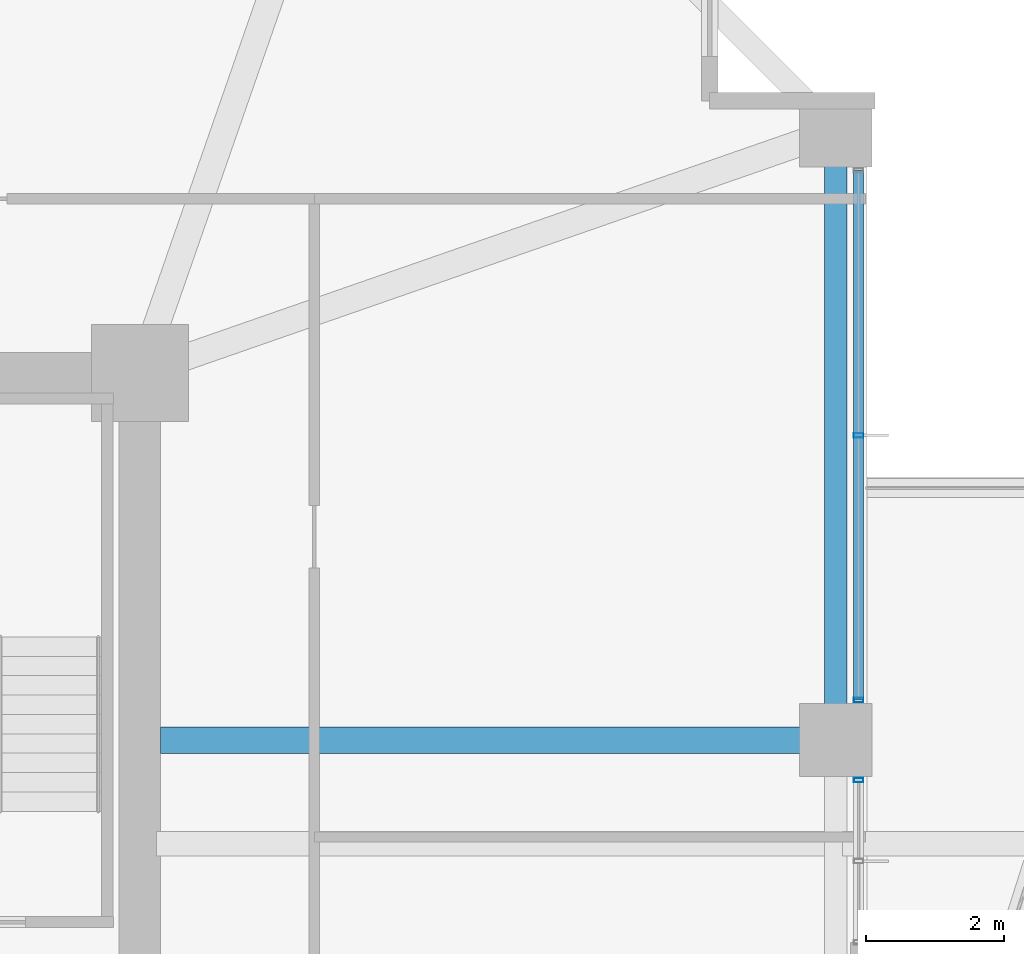
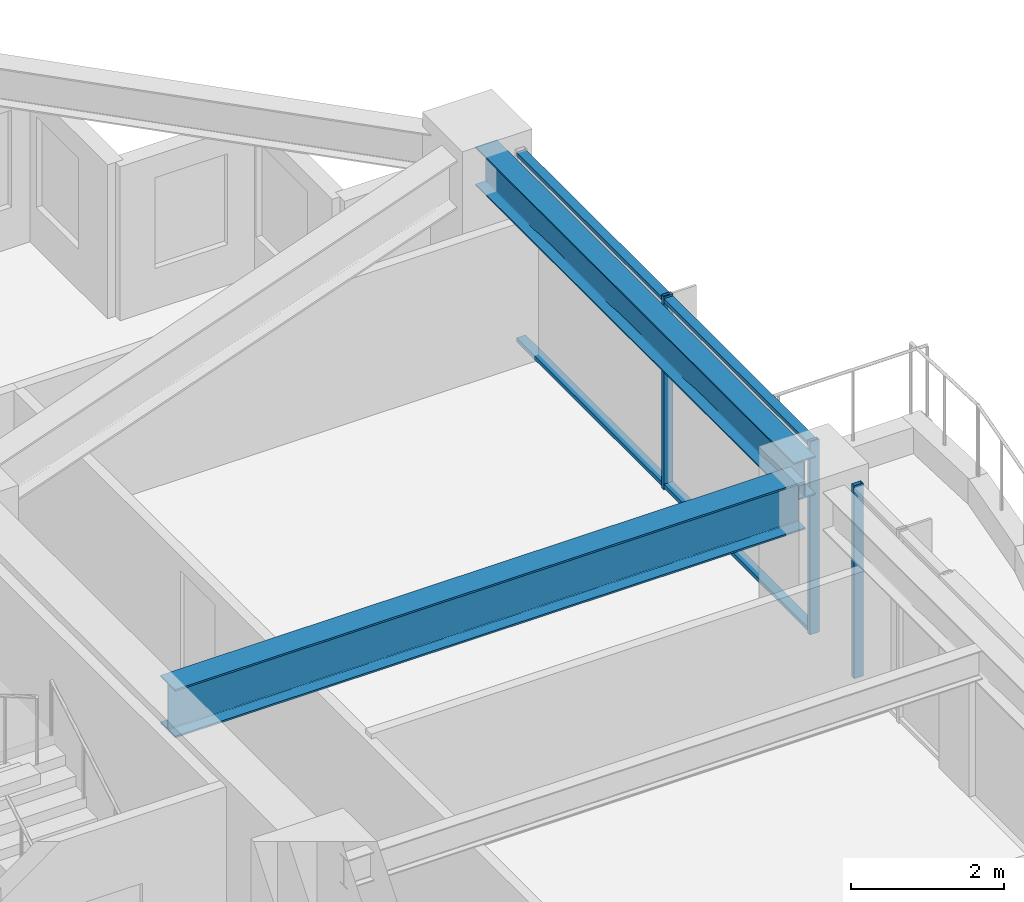
# One storey, part 18 of 36: 5 members, 2 beams, 2 elements without a shape of their own.
"""IFC4 building model written with IfcOpenShell, lengths in metres."""

from ifc_helpers import new_model, si_unit, direction, frame, origin, origin_2d, place, context, subcontext, project, spatial, hollow_rectangle, i_section, extrude, material, material_profile, profile_set, type_object, element, aggregate, save


model = new_model("IFC4")

# Units and contexts
model_context = context("Model", 3, precision=1e-05, world=origin(), true_north=direction((0.0, 1.0)))
body_context = subcontext(model_context, "Body", "Model", "MODEL_VIEW")
ifc_project = project(units=[si_unit("LENGTHUNIT", "METRE"), si_unit("AREAUNIT", "SQUARE_METRE"), si_unit("VOLUMEUNIT", "CUBIC_METRE"), si_unit("PLANEANGLEUNIT", "RADIAN"), si_unit("MASSUNIT", "GRAM", prefix="KILO")], contexts=[model_context])

# Site, building, storey
site_placement = place(None, origin())
site = spatial("IfcSite", under=ifc_project, at=site_placement, CompositionType="ELEMENT")
building_placement = place(site_placement, origin())
building = spatial("IfcBuilding", under=site, at=building_placement, Name="Kolvaren Belvedere", CompositionType="ELEMENT")
storey_placement = place(building_placement, frame((0.0, 0.0, 92.0)))
storey = spatial("IfcBuildingStorey", under=building, at=storey_placement, Name="L26", CompositionType="ELEMENT", Elevation=92.0)

# Beams
ifc_material_1 = material(Name="Structural steel ASTM A992 Grade 50", Category="steel")
ifc_material_profile_1 = material_profile(ifc_material_1, i_section(OverallWidth=0.381103515625, OverallDepth=0.77294921875, WebThickness=0.0166015625, FlangeThickness=0.027099609375, FilletRadius=0.02392578125, at=origin_2d()), Name="W30X173")
ifc_profile_set_1 = profile_set([ifc_material_profile_1], Name="Structural steel ASTM A992 Grade 50")
beam_type_1 = type_object("IfcBeamType", Name="BM-GIRD-W30X173", PredefinedType="BEAM", material=ifc_profile_set_1)
beam_1_placement = place(storey_placement, frame((10.199951171875, 4.60009765625, 2.693603515625), z_axis=(1.0, 0.0, 0.0), x_axis=(0.0, 1.0, 0.0)))
element("IfcBeam", 1, at=beam_1_placement, inside=storey, type_object=beam_type_1, Name="L26 East Radial Girder P", PredefinedType="BEAM", context=body_context, shape_type="SweptSolid", body=[
    extrude(i_section(OverallWidth=0.381103515625, OverallDepth=0.77294921875, WebThickness=0.0166015625, FlangeThickness=0.027099609375, FilletRadius=0.02392578125, at=origin_2d()), origin(), (0.0, 0.0, 1.0), 9.513916015625),
])
ifc_material_2 = material(Name="Structural steel ASTM A992 Grade 50", Category="steel")
ifc_material_profile_2 = material_profile(ifc_material_2, i_section(OverallWidth=0.324951171875, OverallDepth=0.615966796875, WebThickness=0.013916015625, FlangeThickness=0.021484375, FilletRadius=0.02001953125, at=origin_2d()), Name="W24X117")
ifc_profile_set_2 = profile_set([ifc_material_profile_2], Name="Structural steel ASTM A992 Grade 50")
beam_type_2 = type_object("IfcBeamType", Name="BM-SPAN-W24X117", PredefinedType="SPANDREL", material=ifc_profile_set_2)
beam_2_placement = place(storey_placement, frame((19.949951171875, 4.836181640625, 2.77197265625), z_axis=(0.0, 1.0, 0.0), x_axis=(-1.0, 0.0, 0.0)))
element("IfcBeam", 2, at=beam_2_placement, inside=storey, type_object=beam_type_2, Name="L26 Perimeter Spandrel E3-E4", PredefinedType="SPANDREL", context=body_context, shape_type="SweptSolid", body=[
    extrude(i_section(OverallWidth=0.324951171875, OverallDepth=0.615966796875, WebThickness=0.013916015625, FlangeThickness=0.021484375, FilletRadius=0.02001953125, at=origin_2d()), origin(), (0.0, 0.0, 1.0), 8.32763671875),
])

# Curtain wall, members
ifc_material_3 = material(Name="Anodised pale-metal aluminium AA 6063-T6", Category="aluminium")
curtain_wall_type = type_object("IfcCurtainWallType", Name="CW-Z2-MID", PredefinedType="NOTDEFINED", material=ifc_material_3)
curtain_wall_1_placement = place(storey_placement, origin())
curtain_wall_1 = element("IfcCurtainWall", 3, at=curtain_wall_1_placement, inside=storey, type_object=curtain_wall_type, Name="L26 Unitised Curtain Wall FCW-L26-E1-B1", PredefinedType="NOTDEFINED")
ifc_material_4 = material(Name="Anodised pale-metal aluminium AA 6063-T6", Category="aluminium")
ifc_material_profile_3 = material_profile(ifc_material_4, hollow_rectangle(XDim=0.06494140625, YDim=0.139892578125, WallThickness=0.00390625, at=origin_2d()), Name="ALU-MUL-140X65")
ifc_profile_set_3 = profile_set([ifc_material_profile_3], Name="Anodised pale-metal aluminium AA 6063-T6")
member_type_1 = type_object("IfcMemberType", Name="CW-MUL-140", PredefinedType="MULLION", material=ifc_profile_set_3)
member_1_placement = place(storey_placement, frame((20.280029296875, 9.0, 0.0), z_axis=(0.0, 0.0, 1.0), x_axis=(0.0, 1.0, 0.0)))
member_1 = element("IfcMember", 4, at=member_1_placement, type_object=member_type_1, Name="FCW-L26-E1-B1 Unitised Mullion 2", PredefinedType="MULLION", context=body_context, shape_type="SweptSolid", body=[
    extrude(hollow_rectangle(XDim=0.06494140625, YDim=0.139892578125, WallThickness=0.00390625, at=origin_2d()), origin(), (0.0, 0.0, 1.0), 3.080078125),
])
member_2_placement = place(storey_placement, frame((20.280029296875, 5.177490234375, 0.0), z_axis=(0.0, 0.0, 1.0), x_axis=(0.0, 1.0, 0.0)))
member_2 = element("IfcMember", 5, at=member_2_placement, type_object=member_type_1, Name="FCW-L26-E1-B1 Unitised Mullion 3", PredefinedType="MULLION", context=body_context, shape_type="SweptSolid", body=[
    extrude(hollow_rectangle(XDim=0.06494140625, YDim=0.139892578125, WallThickness=0.00390625, at=origin_2d()), origin(), (0.0, 0.0, 1.0), 3.080078125),
])

# Curtain wall, member
curtain_wall_2_placement = place(storey_placement, origin())
curtain_wall_2 = element("IfcCurtainWall", 6, at=curtain_wall_2_placement, inside=storey, type_object=curtain_wall_type, Name="L26 Unitised Curtain Wall FCW-L26-E1-B2", PredefinedType="NOTDEFINED")
member_3_placement = place(storey_placement, frame((20.280029296875, 4.0224609375, 0.0), z_axis=(0.0, 0.0, 1.0), x_axis=(0.0, 1.0, 0.0)))
member_3 = element("IfcMember", 7, at=member_3_placement, type_object=member_type_1, Name="FCW-L26-E1-B2 Unitised Mullion 1", PredefinedType="MULLION", context=body_context, shape_type="SweptSolid", body=[
    extrude(hollow_rectangle(XDim=0.06494140625, YDim=0.139892578125, WallThickness=0.00390625, at=origin_2d()), origin(), (0.0, 0.0, 1.0), 3.080078125),
])
aggregate(curtain_wall_2, [member_3])

# Member
ifc_material_5 = material(Name="Anodised pale-metal aluminium AA 6063-T6", Category="aluminium")
ifc_material_profile_4 = material_profile(ifc_material_5, hollow_rectangle(XDim=0.06005859375, YDim=0.139892578125, WallThickness=0.00390625, at=origin_2d()), Name="ALU-TRN-140X60")
ifc_profile_set_4 = profile_set([ifc_material_profile_4], Name="Anodised pale-metal aluminium AA 6063-T6")
member_type_2 = type_object("IfcMemberType", Name="CW-TRN-140", PredefinedType="USERDEFINED", material=ifc_profile_set_4)
member_4_placement = place(storey_placement, frame((20.280029296875, 12.822509765625, 0.06005859375), z_axis=(0.0, -1.0, 0.0), x_axis=(0.0, 0.0, 1.0)))
member_4 = element("IfcMember", 8, at=member_4_placement, type_object=member_type_2, Name="FCW-L26-E1-B1 Sill Transom", ObjectType="TRANSOM", PredefinedType="USERDEFINED", context=body_context, shape_type="SweptSolid", body=[
    extrude(hollow_rectangle(XDim=0.06005859375, YDim=0.139892578125, WallThickness=0.00390625, at=origin_2d()), origin(), (0.0, 0.0, 1.0), 7.64501953125),
])

member_5_placement = place(storey_placement, frame((20.280029296875, 12.822509765625, 3.02001953125), z_axis=(0.0, -1.0, 0.0), x_axis=(0.0, 0.0, 1.0)))
member_5 = element("IfcMember", 9, at=member_5_placement, type_object=member_type_2, Name="FCW-L26-E1-B1 Head Transom", ObjectType="TRANSOM", PredefinedType="USERDEFINED", context=body_context, shape_type="SweptSolid", body=[
    extrude(hollow_rectangle(XDim=0.06005859375, YDim=0.139892578125, WallThickness=0.00390625, at=origin_2d()), origin(), (0.0, 0.0, 1.0), 7.64501953125),
])

aggregate(curtain_wall_1, [member_1, member_2, member_4, member_5])

save(model, "model.ifc")
